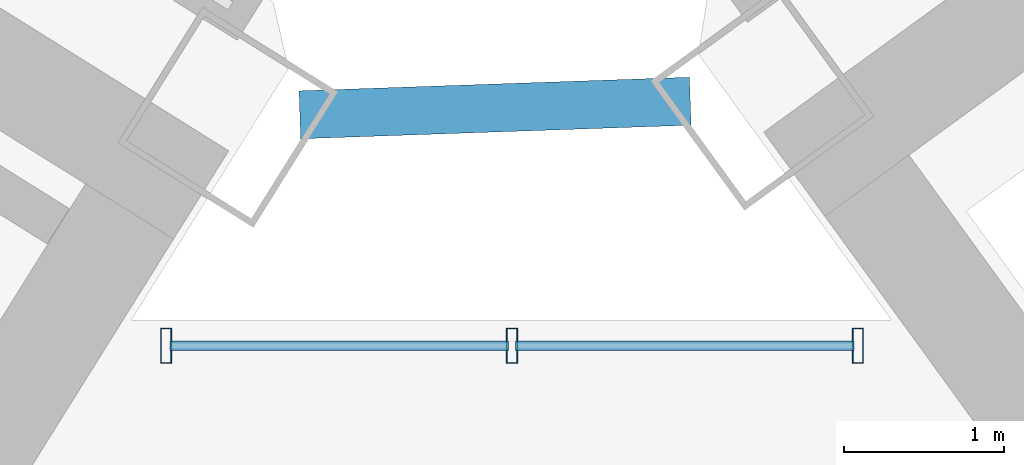
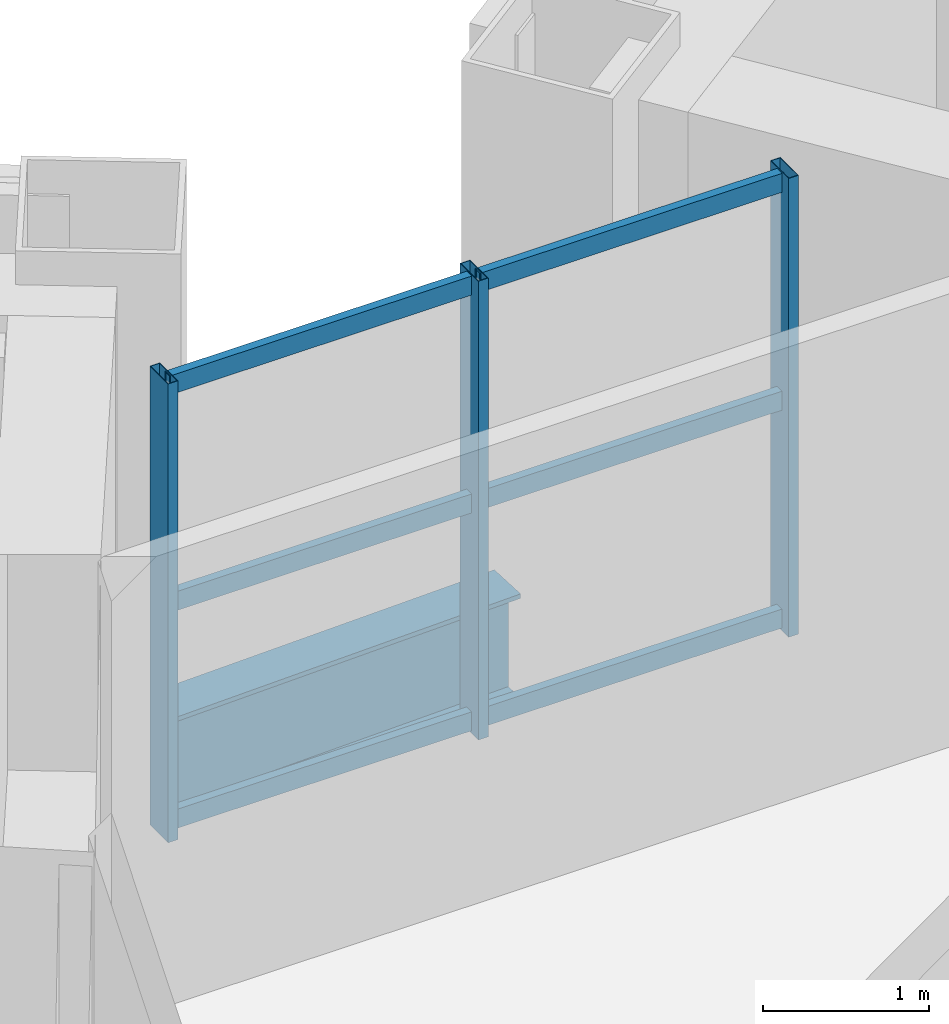
# One storey, part 11 of 28: 9 members, 1 beam, 1 element without a shape of its own.
"""IFC4 building model written with IfcOpenShell, lengths in metres."""

from ifc_helpers import new_model, si_unit, direction, frame, origin, origin_2d, place, context, subcontext, project, spatial, hollow_rectangle, i_section, extrude, source, transform, mapped, material, material_profile, profile_set, type_object, element, aggregate, save


model = new_model("IFC4")

# Units and contexts
model_context = context("Model", 3, precision=1e-05, world=origin(), true_north=direction((0.0, 1.0)))
body_context = subcontext(model_context, "Body", "Model", "MODEL_VIEW")
ifc_project = project(units=[si_unit("LENGTHUNIT", "METRE"), si_unit("AREAUNIT", "SQUARE_METRE"), si_unit("VOLUMEUNIT", "CUBIC_METRE"), si_unit("PLANEANGLEUNIT", "RADIAN"), si_unit("MASSUNIT", "GRAM", prefix="KILO")], contexts=[model_context])

# Site, building, storey
site_placement = place(None, origin())
site = spatial("IfcSite", under=ifc_project, at=site_placement, CompositionType="ELEMENT")
building_placement = place(site_placement, origin())
building = spatial("IfcBuilding", under=site, at=building_placement, Name="Tlacorven Tower", CompositionType="ELEMENT")
storey_placement = place(building_placement, frame((0.0, 0.0, 34.800048828125)))
storey = spatial("IfcBuildingStorey", under=building, at=storey_placement, Name="L08", CompositionType="ELEMENT", Elevation=34.800048828125)

# Beam
ifc_material_1 = material(Name="Steel S355J2", Category="steel")
ifc_material_profile_1 = material_profile(ifc_material_1, i_section(OverallWidth=0.300048828125, OverallDepth=0.800048828125, WebThickness=0.017578125, FlangeThickness=0.032958984375, at=origin_2d()), Name="HEB 800")
ifc_profile_set_1 = profile_set([ifc_material_profile_1], Name="Steel S355J2")
beam_type = type_object("IfcBeamType", Name="BM-POD-800", PredefinedType="BEAM", material=ifc_profile_set_1)
shared_shape_1 = source(origin(), body_context, "Body", "SweptSolid", [
    extrude(i_section(OverallWidth=0.300048828125, OverallDepth=0.800048828125, WebThickness=0.017578125, FlangeThickness=0.032958984375, at=origin_2d()), origin(), (0.0, 0.0, 1.0), 2.44287109375),
])
beam_placement = place(storey_placement, frame((41.232666015625, 24.484130859375, -0.650146484375), z_axis=(0.999391550767, 0.034878765122, 0.0), x_axis=(-0.034878765122, 0.999391550767, 0.0)))
element("IfcBeam", 1, at=beam_placement, inside=storey, type_object=beam_type, Name="L08 Knuckle Link Girder 1", PredefinedType="BEAM", context=body_context, shape_type="MappedRepresentation", body=[
    mapped(shared_shape_1, transform((0.0, 0.0, 0.0), scale=1.0)),
])

# Curtain wall, members
ifc_material_2 = material(Name="Dark solar low-E double glazing in aluminium frame", Category="aluminium")
curtain_wall_type = type_object("IfcCurtainWallType", Name="CW-TWR-LOW", PredefinedType="USERDEFINED", material=ifc_material_2)
curtain_wall_placement = place(storey_placement, origin())
curtain_wall = element("IfcCurtainWall", 2, at=curtain_wall_placement, inside=storey, type_object=curtain_wall_type, Name="L08 CW-TWR-LOW Curtain Wall 44", ObjectType="UNITISED CURTAIN WALL", PredefinedType="USERDEFINED")
ifc_material_3 = material(Name="Aluminium 6063-T6 anodised", Category="aluminium")
ifc_material_profile_2 = material_profile(ifc_material_3, hollow_rectangle(XDim=0.06005859375, YDim=0.139892578125, WallThickness=0.00390625, at=origin_2d()), Name="ALU TRANSOM 60X140")
ifc_profile_set_2 = profile_set([ifc_material_profile_2], Name="Aluminium 6063-T6 anodised")
member_type_1 = type_object("IfcMemberType", Name="CWT-02", PredefinedType="USERDEFINED", material=ifc_profile_set_2)
shared_shape_2 = source(origin(), body_context, "Body", "SweptSolid", [
    extrude(hollow_rectangle(XDim=0.06005859375, YDim=0.139892578125, WallThickness=0.00390625, at=origin_2d()), origin(), (0.0, 0.0, 1.0), 2.116455078125),
])
member_1_placement = place(storey_placement, frame((40.419921875, 23.0400390625, 0.070068359375), z_axis=(1.0, 0.0, 0.0), x_axis=(0.0, 1.0, 0.0)))
member_1 = element("IfcMember", 3, at=member_1_placement, type_object=member_type_1, Name="CW-L08-044 Transom 1", ObjectType="TRANSOM", PredefinedType="USERDEFINED", context=body_context, shape_type="MappedRepresentation", body=[
    mapped(shared_shape_2, transform((0.0, 0.0, 0.0), scale=1.0)),
])
member_2_placement = place(storey_placement, frame((40.419921875, 23.0400390625, 1.675048828125), z_axis=(1.0, 0.0, 0.0), x_axis=(0.0, 1.0, 0.0)))
member_2 = element("IfcMember", 4, at=member_2_placement, type_object=member_type_1, Name="CW-L08-044 Transom 2", ObjectType="TRANSOM", PredefinedType="USERDEFINED", context=body_context, shape_type="MappedRepresentation", body=[
    mapped(shared_shape_2, transform((0.0, 0.0, 0.0), scale=1.0)),
])
member_3_placement = place(storey_placement, frame((40.419921875, 23.0400390625, 3.280029296875), z_axis=(1.0, 0.0, 0.0), x_axis=(0.0, 1.0, 0.0)))
member_3 = element("IfcMember", 5, at=member_3_placement, type_object=member_type_1, Name="CW-L08-044 Transom 3", ObjectType="TRANSOM", PredefinedType="USERDEFINED", context=body_context, shape_type="MappedRepresentation", body=[
    mapped(shared_shape_2, transform((0.0, 0.0, 0.0), scale=1.0)),
])
shared_shape_3 = source(origin(), body_context, "Body", "SweptSolid", [
    extrude(hollow_rectangle(XDim=0.06005859375, YDim=0.139892578125, WallThickness=0.00390625, at=origin_2d()), origin(), (0.0, 0.0, 1.0), 2.11669921875),
])
member_4_placement = place(storey_placement, frame((42.582275390625, 23.0400390625, 0.070068359375), z_axis=(1.0, 0.0, 0.0), x_axis=(0.0, 1.0, 0.0)))
member_4 = element("IfcMember", 6, at=member_4_placement, type_object=member_type_1, Name="CW-L08-044 Transom 4", ObjectType="TRANSOM", PredefinedType="USERDEFINED", context=body_context, shape_type="MappedRepresentation", body=[
    mapped(shared_shape_3, transform((0.0, 0.0, 0.0), scale=1.0)),
])
member_5_placement = place(storey_placement, frame((42.582275390625, 23.0400390625, 1.675048828125), z_axis=(1.0, 0.0, 0.0), x_axis=(0.0, 1.0, 0.0)))
member_5 = element("IfcMember", 7, at=member_5_placement, type_object=member_type_1, Name="CW-L08-044 Transom 5", ObjectType="TRANSOM", PredefinedType="USERDEFINED", context=body_context, shape_type="MappedRepresentation", body=[
    mapped(shared_shape_3, transform((0.0, 0.0, 0.0), scale=1.0)),
])
member_6_placement = place(storey_placement, frame((42.582275390625, 23.0400390625, 3.280029296875), z_axis=(1.0, 0.0, 0.0), x_axis=(0.0, 1.0, 0.0)))
member_6 = element("IfcMember", 8, at=member_6_placement, type_object=member_type_1, Name="CW-L08-044 Transom 6", ObjectType="TRANSOM", PredefinedType="USERDEFINED", context=body_context, shape_type="MappedRepresentation", body=[
    mapped(shared_shape_3, transform((0.0, 0.0, 0.0), scale=1.0)),
])
ifc_material_profile_3 = material_profile(ifc_material_3, hollow_rectangle(XDim=0.070068359375, YDim=0.219970703125, WallThickness=0.0048828125, at=origin_2d()), Name="ALU MULLION 70X220")
ifc_profile_set_3 = profile_set([ifc_material_profile_3], Name="Aluminium 6063-T6 anodised")
member_type_2 = type_object("IfcMemberType", Name="CWM-01", PredefinedType="MULLION", material=ifc_profile_set_3)
shared_shape_4 = source(origin(), body_context, "Body", "SweptSolid", [
    extrude(hollow_rectangle(XDim=0.070068359375, YDim=0.219970703125, WallThickness=0.0048828125, at=origin_2d()), origin(), (0.0, 0.0, 1.0), 3.3798828125),
])
member_7_placement = place(storey_placement, frame((40.396728515625, 23.0400390625, -0.02001953125), z_axis=(0.0, 0.0, 1.0), x_axis=(1.0, 0.0, 0.0)))
member_7 = element("IfcMember", 9, at=member_7_placement, type_object=member_type_2, Name="CW-L08-044 Mullion 1", PredefinedType="MULLION", context=body_context, shape_type="MappedRepresentation", body=[
    mapped(shared_shape_4, transform((0.0, 0.0, 0.0), scale=1.0)),
])
member_8_placement = place(storey_placement, frame((42.559326171875, 23.0400390625, -0.02001953125), z_axis=(0.0, 0.0, 1.0), x_axis=(1.0, 0.0, 0.0)))
member_8 = element("IfcMember", 10, at=member_8_placement, type_object=member_type_2, Name="CW-L08-044 Mullion 2", PredefinedType="MULLION", context=body_context, shape_type="MappedRepresentation", body=[
    mapped(shared_shape_4, transform((0.0, 0.0, 0.0), scale=1.0)),
])
member_9_placement = place(storey_placement, frame((44.721923828125, 23.0400390625, -0.02001953125), z_axis=(0.0, 0.0, 1.0), x_axis=(1.0, 0.0, 0.0)))
member_9 = element("IfcMember", 11, at=member_9_placement, type_object=member_type_2, Name="CW-L08-044 Mullion 3", PredefinedType="MULLION", context=body_context, shape_type="MappedRepresentation", body=[
    mapped(shared_shape_4, transform((0.0, 0.0, 0.0), scale=1.0)),
])
aggregate(curtain_wall, [member_7, member_8, member_9, member_1, member_2, member_3, member_4, member_5, member_6])

save(model, "model.ifc")
